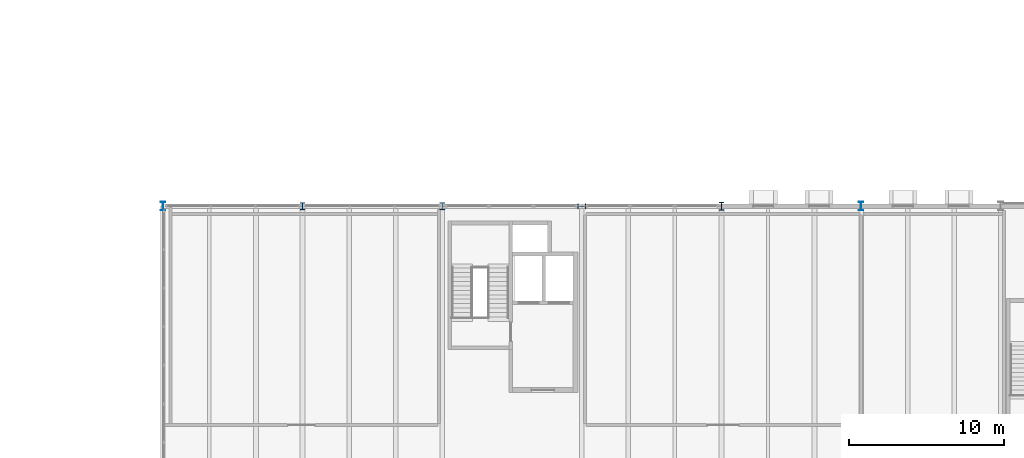
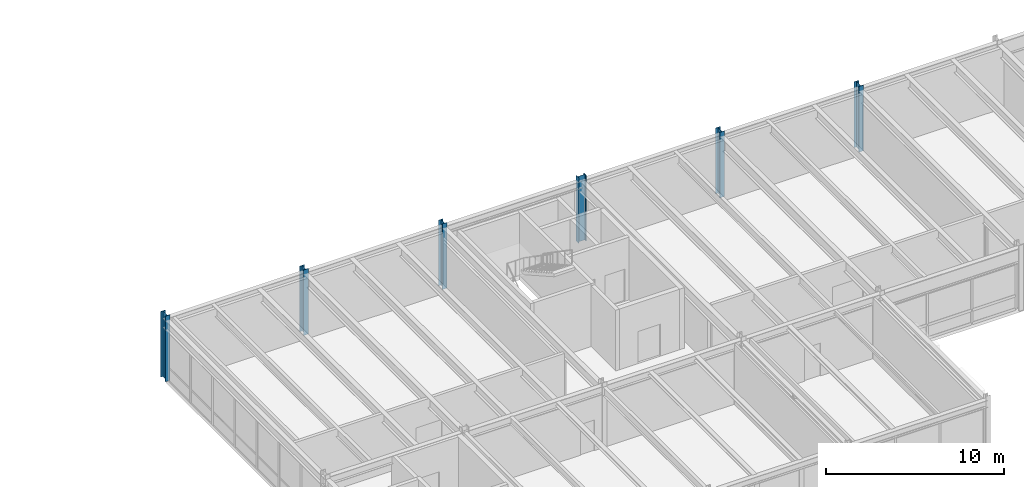
# One storey, part 8 of 142: 6 columns.
"""IFC4 building model written with IfcOpenShell, lengths in metres."""

import ifcopenshell
import ifcopenshell.guid

model = None  # the IFC model being written
_history = None  # IfcOwnerHistory: only IFC2X3 demands one
_inside = {}  # id of a spatial element -> (the spatial element, [elements in it])
_under = {}  # id of a project, library or spatial element -> (it, [spatial elements below it])
_declared = {}  # id of a project -> (the project, [libraries it declares])
_typed = {}  # id of a type object -> (the type object, [elements of that type])
_made_of = {}  # id of a material, layer set ... -> (it, [elements and type objects made of it])


def new_model(schema):
    """Start an empty IFC model of exactly this schema.

    Asked for "IFC4X3", IfcOpenShell would pick the latest addendum, in which some entities
    have other attributes; the version numbers below select the first issue.
    IFC2X3 requires an IfcOwnerHistory on every rooted entity: one is made here for all.
    """
    global model, _history
    if schema == "IFC4X3":
        model = ifcopenshell.file(schema_version=(4, 3, 0, 0))
    else:
        model = ifcopenshell.file(schema=schema)
    _inside.clear()
    _under.clear()
    _declared.clear()
    _typed.clear()
    _made_of.clear()
    _history = None
    if model.schema == "IFC2X3":
        org = make("IfcOrganization", Name="unknown")
        user = make(
            "IfcPersonAndOrganization",
            ThePerson=make("IfcPerson", FamilyName="unknown"),
            TheOrganization=org,
        )
        app = make(
            "IfcApplication",
            ApplicationDeveloper=org,
            Version="unknown",
            ApplicationFullName="unknown",
            ApplicationIdentifier="unknown",
        )
        _history = make(
            "IfcOwnerHistory",
            OwningUser=user,
            OwningApplication=app,
            ChangeAction="ADDED",
            CreationDate=0,
        )
    return model


def make(cls, **values):
    """One entity of the class cls with the attributes given. An attribute that is None is left unset."""
    return model.create_entity(
        cls, **{name: value for name, value in values.items() if value is not None}
    )


def rooted(cls, **values):
    """An entity with a GlobalId (a new one), such as an element, a storey or a relation."""
    return make(cls, GlobalId=ifcopenshell.guid.new(), OwnerHistory=_history, **values)


def si_unit(unit_type, name, prefix=None):
    """IfcSIUnit, for example si_unit("LENGTHUNIT", "METRE", prefix="MILLI")."""
    return make("IfcSIUnit", UnitType=unit_type, Prefix=prefix, Name=name)


def assignment(units):
    """IfcUnitAssignment: the units of a project."""
    return None if units is None else make("IfcUnitAssignment", Units=units)


def point(xyz):
    """IfcCartesianPoint."""
    return None if xyz is None else make("IfcCartesianPoint", Coordinates=xyz)


def direction(xyz):
    """IfcDirection."""
    return None if xyz is None else make("IfcDirection", DirectionRatios=xyz)


def frame(location, z_axis=None, x_axis=None):
    """IfcAxis2Placement3D, a coordinate frame: its origin and axes. An axis left out is left unset."""
    return make(
        "IfcAxis2Placement3D",
        Location=point(location),
        Axis=direction(z_axis),
        RefDirection=direction(x_axis),
    )


def frame_2d(location, x_axis=None):
    """IfcAxis2Placement2D, a coordinate frame in the plane: its origin and x axis."""
    return make(
        "IfcAxis2Placement2D", Location=point(location), RefDirection=direction(x_axis)
    )


def origin():
    """The frame at (0, 0, 0) with its axes left unset."""
    return frame((0.0, 0.0, 0.0))


def origin_2d():
    """The frame at (0, 0) in the plane with its x axis left unset."""
    return frame_2d((0.0, 0.0))


def place(relative_to, where):
    """IfcLocalPlacement: puts the frame where relative to a parent placement (None: the world)."""
    return make(
        "IfcLocalPlacement", PlacementRelTo=relative_to, RelativePlacement=where
    )


def context(
    kind, dimensions, precision=None, world=None, true_north=None, identifier=None
):
    """IfcGeometricRepresentationContext, for example the 3D "Model" context."""
    return make(
        "IfcGeometricRepresentationContext",
        ContextIdentifier=identifier,
        ContextType=kind,
        CoordinateSpaceDimension=dimensions,
        Precision=precision,
        WorldCoordinateSystem=world,
        TrueNorth=true_north,
    )


def subcontext(parent, identifier, kind, view, scale=None):
    """IfcGeometricRepresentationSubContext, for example "Body" below "Model"."""
    return make(
        "IfcGeometricRepresentationSubContext",
        ContextIdentifier=identifier,
        ContextType=kind,
        ParentContext=parent,
        TargetScale=scale,
        TargetView=view,
    )


def project(units=None, contexts=None):
    """IfcProject with its units and contexts."""
    return rooted(
        "IfcProject",
        Name="project",
        RepresentationContexts=contexts,
        UnitsInContext=assignment(units),
    )


def spatial(cls, under=None, at=None, **own):
    """A site, building, storey or space (cls), placed at a placement, below another one or the project."""
    s = rooted(cls, ObjectPlacement=at, **own)
    if under is not None:
        _under.setdefault(under.id(), (under, []))[1].append(s)
    return s


def profile(cls, at=None, kind="AREA", **sizes):
    """A parametric profile (cls). Its sizes go by their IFC names, for example OverallWidth=200.0."""
    return make(cls, ProfileType=kind, Position=at, **sizes)


def i_section(**sizes):
    """IfcIShapeProfileDef."""
    return profile("IfcIShapeProfileDef", **sizes)


def extrude(swept, where, along, depth):
    """IfcExtrudedAreaSolid: the profile swept, set in the frame where, extruded along a direction by depth."""
    return make(
        "IfcExtrudedAreaSolid",
        SweptArea=swept,
        Position=where,
        ExtrudedDirection=direction(along),
        Depth=depth,
    )


def shape(context_of_items, identifier, shape_type, items):
    """IfcShapeRepresentation: the items that make up one representation, for example the "Body"."""
    return make(
        "IfcShapeRepresentation",
        ContextOfItems=context_of_items,
        RepresentationIdentifier=identifier,
        RepresentationType=shape_type,
        Items=items,
    )


def material(Name=None, Category=None):
    """IfcMaterial."""
    return make("IfcMaterial", Name=Name, Category=Category)


def material_profile(
    of_material, cross_section, Name=None, Category=None, Priority=None
):
    """IfcMaterialProfile: a cross section and its material."""
    return make(
        "IfcMaterialProfile",
        Name=Name,
        Material=of_material,
        Profile=cross_section,
        Priority=Priority,
        Category=Category,
    )


def profile_set(profiles, Name=None, composite=None):
    """IfcMaterialProfileSet."""
    return make(
        "IfcMaterialProfileSet",
        Name=Name,
        MaterialProfiles=profiles,
        CompositeProfile=composite,
    )


def made_of(thing, what):
    """Note that an element or type object is made of a material, layer set ...; save() writes the relation."""
    if what is not None:
        _made_of.setdefault(what.id(), (what, []))[1].append(thing)
    return thing


def type_object(cls, material=None, **own):
    """A type object (cls), such as IfcWallType, which elements share."""
    return made_of(rooted(cls, **own), material)


def element(
    cls,
    number,
    at=None,
    inside=None,
    cuts=None,
    type_object=None,
    material=None,
    context=None,
    identifier="Body",
    shape_type=None,
    held_by="IfcProductDefinitionShape",
    body=None,
    shapes=None,
    **own,
):
    """One element of the class cls, such as IfcWall. Its Tag is "e" and its number.

    at: its placement. inside: the storey or other place that contains it. cuts: it is an
    opening in that element (IfcRelVoidsElement). A single representation is given by context,
    identifier, shape_type and body (its items); several are given by shapes. held_by: the class
    of the entity that holds the representations. save() writes the other relations.
    """
    e = rooted(cls, Tag="e%d" % number, ObjectPlacement=at, **own)
    if body is not None:
        shapes = [shape(context, identifier, shape_type, body)]
    if shapes is not None:
        e.Representation = make(held_by, Representations=shapes)
    if inside is not None:
        _inside.setdefault(inside.id(), (inside, []))[1].append(e)
    if cuts is not None:
        rooted(
            "IfcRelVoidsElement", RelatingBuildingElement=cuts, RelatedOpeningElement=e
        )
    if type_object is not None:
        _typed.setdefault(type_object.id(), (type_object, []))[1].append(e)
    return made_of(e, material)


def aggregate(whole, parts):
    """IfcRelAggregates: a whole, such as a stair, and the parts it consists of."""
    return rooted("IfcRelAggregates", RelatingObject=whole, RelatedObjects=parts)


def save(model, path):
    """Write the relations noted so far, then the file.

    IfcRelAggregates (storeys below a building ...), IfcRelContainedInSpatialStructure (elements
    in a storey), IfcRelDefinesByType, IfcRelAssociatesMaterial and IfcRelDeclares: one each for
    every whole, place, type object, material and project.
    """
    for whole, parts in _under.values():
        aggregate(whole, parts)
    for where, things in _inside.values():
        rooted(
            "IfcRelContainedInSpatialStructure",
            RelatedElements=things,
            RelatingStructure=where,
        )
    for kind, things in _typed.values():
        rooted("IfcRelDefinesByType", RelatedObjects=things, RelatingType=kind)
    for what, things in _made_of.values():
        rooted("IfcRelAssociatesMaterial", RelatedObjects=things, RelatingMaterial=what)
    for by, libraries in _declared.values():
        rooted("IfcRelDeclares", RelatingContext=by, RelatedDefinitions=libraries)
    model.write(path)


model = new_model("IFC4")

# Units and contexts
model_context = context("Model", 3, precision=1e-05, world=origin(), true_north=direction((0.0, 1.0)))
body_context = subcontext(model_context, "Body", "Model", "MODEL_VIEW")
ifc_project = project(units=[si_unit("LENGTHUNIT", "METRE"), si_unit("AREAUNIT", "SQUARE_METRE"), si_unit("VOLUMEUNIT", "CUBIC_METRE"), si_unit("PLANEANGLEUNIT", "RADIAN"), si_unit("MASSUNIT", "GRAM", prefix="KILO")], contexts=[model_context])

# Site, building, storey
site_placement = place(None, origin())
site = spatial("IfcSite", under=ifc_project, at=site_placement, CompositionType="ELEMENT")
building_placement = place(site_placement, origin())
building = spatial("IfcBuilding", under=site, at=building_placement, Name="Montelvaro Courts of Justice", CompositionType="ELEMENT")
storey_placement = place(building_placement, frame((0.0, 0.0, 14.39990234375)))
storey = spatial("IfcBuildingStorey", under=building, at=storey_placement, Name="L03", CompositionType="ELEMENT", Elevation=14.39990234375)

# Columns
ifc_material = material(Name="Steel S355", Category="steel")
ifc_material_profile_1 = material_profile(ifc_material, i_section(OverallWidth=0.300048828125, OverallDepth=0.449951171875, WebThickness=0.013916015625, FlangeThickness=0.02587890625, at=origin_2d()), Name="HEB 450")
ifc_profile_set_1 = profile_set([ifc_material_profile_1], Name="Steel S355")
column_type_1 = type_object("IfcColumnType", Name="Col_HEB450", PredefinedType="COLUMN", material=ifc_profile_set_1)
for number, where, z_axis, x_axis, name in (
    (1, (108.0, 96.0, 0.0), (0.0, 0.0, 1.0), (1.0, 0.0, 0.0), "Column C-08 L03 13/H"),
    (2, (117.0, 96.0, 0.0), (0.0, 0.0, 1.0), (1.0, 0.0, 0.0), "Column C-08 L03 14/H"),
):
    element("IfcColumn", number, at=place(storey_placement, frame(where, z_axis=z_axis, x_axis=x_axis)), inside=storey, type_object=column_type_1, Name=name, PredefinedType="COLUMN", context=body_context, shape_type="SweptSolid", body=[
        extrude(i_section(OverallWidth=0.300048828125, OverallDepth=0.449951171875, WebThickness=0.013916015625, FlangeThickness=0.02587890625, at=origin_2d()), origin(), (0.0, 0.0, 1.0), 4.5),
    ])
ifc_material_profile_2 = material_profile(ifc_material, i_section(OverallWidth=0.300048828125, OverallDepth=0.5, WebThickness=0.014404296875, FlangeThickness=0.028076171875, at=origin_2d()), Name="HEB 500")
ifc_profile_set_2 = profile_set([ifc_material_profile_2], Name="Steel S355")
column_type_2 = type_object("IfcColumnType", Name="Col_HEB500", PredefinedType="COLUMN", material=ifc_profile_set_2)
for number, where, z_axis, x_axis, name in (
    (3, (126.0, 96.0, 0.0), (0.0, 0.0, 1.0), (0.0, 1.0, 0.0), "Column C-09 L03 15/H"),
    (4, (135.0, 96.0, 0.0), (0.0, 0.0, 1.0), (1.0, 0.0, 0.0), "Column C-09 L03 16/H"),
):
    element("IfcColumn", number, at=place(storey_placement, frame(where, z_axis=z_axis, x_axis=x_axis)), inside=storey, type_object=column_type_2, Name=name, PredefinedType="COLUMN", context=body_context, shape_type="SweptSolid", body=[
        extrude(i_section(OverallWidth=0.300048828125, OverallDepth=0.5, WebThickness=0.014404296875, FlangeThickness=0.028076171875, at=origin_2d()), origin(), (0.0, 0.0, 1.0), 4.5),
    ])
ifc_material_profile_3 = material_profile(ifc_material, i_section(OverallWidth=0.300048828125, OverallDepth=0.550048828125, WebThickness=0.014892578125, FlangeThickness=0.029052734375, at=origin_2d()), Name="HEB 550")
ifc_profile_set_3 = profile_set([ifc_material_profile_3], Name="Steel S355")
column_type_3 = type_object("IfcColumnType", Name="Col_HEB550", PredefinedType="COLUMN", material=ifc_profile_set_3)
for number, where, z_axis, x_axis, name in (
    (5, (99.0, 96.0, 0.0), (0.0, 0.0, 1.0), (1.0, 0.0, 0.0), "Column C-10 L03 12/H"),
    (6, (144.0, 96.0, 0.0), (0.0, 0.0, 1.0), (1.0, 0.0, 0.0), "Column C-10 L03 17/H"),
):
    element("IfcColumn", number, at=place(storey_placement, frame(where, z_axis=z_axis, x_axis=x_axis)), inside=storey, type_object=column_type_3, Name=name, PredefinedType="COLUMN", context=body_context, shape_type="SweptSolid", body=[
        extrude(i_section(OverallWidth=0.300048828125, OverallDepth=0.550048828125, WebThickness=0.014892578125, FlangeThickness=0.029052734375, at=origin_2d()), origin(), (0.0, 0.0, 1.0), 4.5),
    ])

save(model, "model.ifc")
